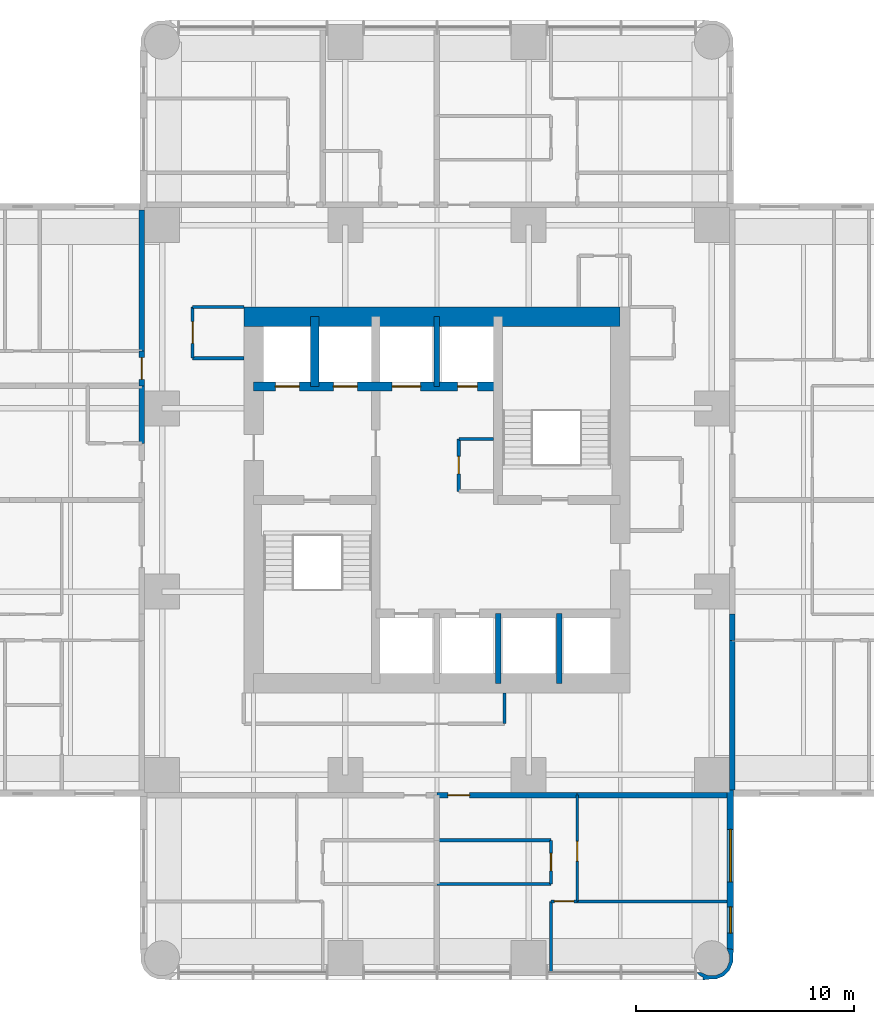
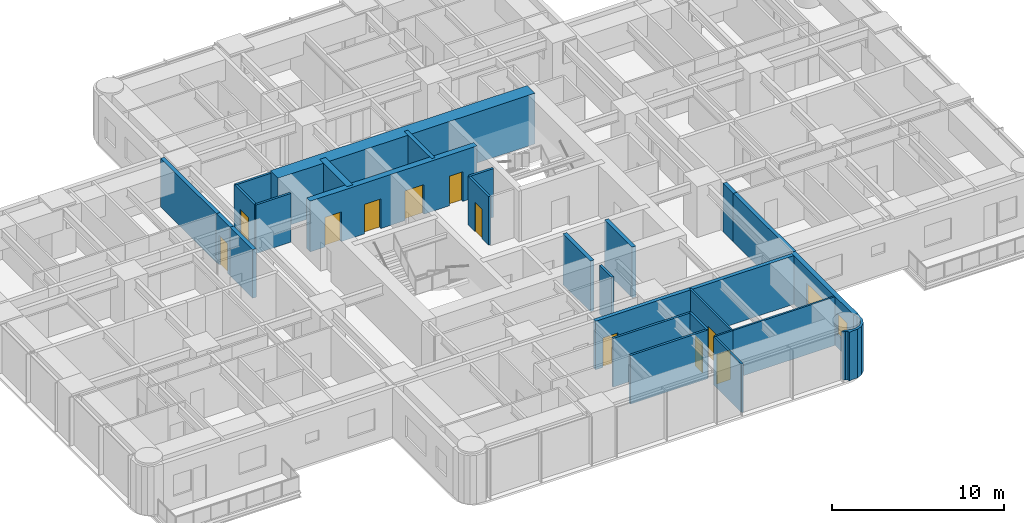
# One storey, part 8 of 14: 28 walls, 11 doors, 2 windows, 13 openings.
"""IFC4 building model written with IfcOpenShell, lengths in metres."""

from ifc_helpers import new_model, si_unit, direction, frame, frame_2d, origin, place, context, subcontext, project, spatial, polyline, rectangle, outline, extrude, material, layer, layer_set, type_object, element, fill, save


model = new_model("IFC4")

# Units and contexts
model_context = context("Model", 3, precision=1e-05, world=origin(), true_north=direction((0.0, 1.0)))
body_context = subcontext(model_context, "Body", "Model", "MODEL_VIEW")
ifc_project = project(units=[si_unit("LENGTHUNIT", "METRE"), si_unit("AREAUNIT", "SQUARE_METRE"), si_unit("VOLUMEUNIT", "CUBIC_METRE"), si_unit("PLANEANGLEUNIT", "RADIAN"), si_unit("MASSUNIT", "GRAM", prefix="KILO")], contexts=[model_context])

# Site, building, storey
site_placement = place(None, origin())
site = spatial("IfcSite", under=ifc_project, at=site_placement, CompositionType="ELEMENT")
building_placement = place(site_placement, origin())
building = spatial("IfcBuilding", under=site, at=building_placement, Name="Torre Alcanfor", CompositionType="ELEMENT")
storey_placement = place(building_placement, frame((0.0, 0.0, 126.89990234375)))
storey = spatial("IfcBuildingStorey", under=building, at=storey_placement, Name="L32", CompositionType="ELEMENT", Elevation=126.89990234375)

# Walls
ifc_material_1 = material(Name="Concrete block masonry, hollow blocks NMX-C-404 9 MPa", Category="masonry")
ifc_layer_1 = layer(ifc_material_1, 0.25)
ifc_layer_set_1 = layer_set([ifc_layer_1], Name="Apartment entrance wall 250 EI 60")
wall_type_1 = type_object("IfcWallType", Name="Apartment entrance wall 250 EI 60", PredefinedType="PARTITIONING", material=ifc_layer_set_1)
wall_1_placement = place(storey_placement, frame((42.925048828125, 24.1708984375, 0.0), z_axis=(0.0, 0.0, 1.0), x_axis=(0.0, -1.0, 0.0)))
element("IfcWall", 1, at=wall_1_placement, inside=storey, type_object=wall_type_1, Name="Partition L32-CORR / L32-E2-HALL", PredefinedType="PARTITIONING", context=body_context, shape_type="SweptSolid", body=[
    extrude(rectangle(XDim=1.199951171875, YDim=0.25, at=frame_2d((0.60009765625, 0.0))), origin(), (0.0, 0.0, 1.0), 3.4501953125),
])
wall_2_placement = place(storey_placement, frame((42.925048828125, 22.970947265625, 0.0), z_axis=(0.0, 0.0, 1.0), x_axis=(0.0, -1.0, 0.0)))
element("IfcWall", 2, at=wall_2_placement, inside=storey, type_object=wall_type_1, Name="Partition L32-CORR / L32-E2-BED3", PredefinedType="PARTITIONING", context=body_context, shape_type="SweptSolid", body=[
    extrude(rectangle(XDim=6.870849609375, YDim=0.25, at=frame_2d((3.435546875, 0.0))), origin(), (0.0, 0.0, 1.0), 3.4501953125),
])

# Wall, opening, door
wall_3_placement = place(storey_placement, frame((35.8291015625, 15.875, 0.0), z_axis=(0.0, 0.0, 1.0), x_axis=(-1.0, 0.0, 0.0)))
wall_3 = element("IfcWall", 3, at=wall_3_placement, inside=storey, type_object=wall_type_1, Name="Partition L32-CORR / L32-S1-LIVING", PredefinedType="PARTITIONING", context=body_context, shape_type="SweptSolid", body=[
    extrude(rectangle(XDim=6.42919921875, YDim=0.25, at=frame_2d((3.214599609375, 0.0))), origin(), (0.0, 0.0, 1.0), 3.4501953125),
])
opening_1_placement = place(wall_3_placement, frame((4.928955078125, 0.0, 0.0)))
opening_1 = element("IfcOpeningElement", 4, at=opening_1_placement, cuts=wall_3, Name="Opening D-A1", PredefinedType="OPENING", context=body_context, shape_type="SweptSolid", body=[
    extrude(rectangle(XDim=1.0, YDim=2.10009765625, at=frame_2d((0.5, 1.050048828125))), frame((0.0, 0.135009765625, 0.0), z_axis=(0.0, -1.0, 0.0), x_axis=(1.0, 0.0, 0.0)), (0.0, 0.0, 1.0), 0.27001953125),
])
ifc_material_2 = material(Name="Galvanised steel sheet ASTM A653", Category="steel")
door_type_1 = type_object("IfcDoorType", Name="Apartment entrance door FD60 1000x2100", OperationType="SINGLE_SWING_LEFT", PredefinedType="DOOR", material=ifc_material_2)
door_1_placement = place(opening_1_placement, origin())
door_1 = element("IfcDoor", 5, at=door_1_placement, inside=storey, type_object=door_type_1, Name="Apartment entrance L32-S1", OperationType="SINGLE_SWING_RIGHT", OverallHeight=2.10009765625, OverallWidth=1.0, PredefinedType="DOOR", context=body_context, shape_type="SweptSolid", body=[
    extrude(rectangle(XDim=1.0, YDim=2.10009765625, at=frame_2d((0.5, 1.050048828125))), frame((0.0, 0.02490234375, 0.0), z_axis=(0.0, -1.0, 0.0), x_axis=(1.0, 0.0, 0.0)), (0.0, 0.0, 1.0), 0.050048828125),
])
fill(opening_1, door_1)

# Walls
wall_4_placement = place(storey_placement, frame((42.699951171875, 15.875, 0.0), z_axis=(0.0, 0.0, 1.0), x_axis=(-1.0, 0.0, 0.0)))
element("IfcWall", 6, at=wall_4_placement, inside=storey, type_object=wall_type_1, Name="Partition L32-CORR / L32-S1-BED2", PredefinedType="PARTITIONING", context=body_context, shape_type="SweptSolid", body=[
    extrude(rectangle(XDim=6.870849609375, YDim=0.25, at=frame_2d((3.435546875, 0.0))), origin(), (0.0, 0.0, 1.0), 3.4501953125),
])
wall_5_placement = place(storey_placement, frame((15.875, 32.0, 0.0), z_axis=(0.0, 0.0, 1.0), x_axis=(0.0, 1.0, 0.0)))
element("IfcWall", 7, at=wall_5_placement, inside=storey, type_object=wall_type_1, Name="Partition L32-CORR / L32-W2A-BATH", PredefinedType="PARTITIONING", context=body_context, shape_type="SweptSolid", body=[
    extrude(rectangle(XDim=2.62890625, YDim=0.25, at=frame_2d((1.314453125, 0.0))), origin(), (0.0, 0.0, 1.0), 3.4501953125),
])

# Wall, opening, door
wall_6_placement = place(storey_placement, frame((15.875, 34.62890625, 0.0), z_axis=(0.0, 0.0, 1.0), x_axis=(0.0, 1.0, 0.0)))
wall_6 = element("IfcWall", 8, at=wall_6_placement, inside=storey, type_object=wall_type_1, Name="Partition L32-CORR / L32-W2B-HALL", PredefinedType="PARTITIONING", context=body_context, shape_type="SweptSolid", body=[
    extrude(rectangle(XDim=1.60009765625, YDim=0.25, at=frame_2d((0.800048828125, 0.0))), origin(), (0.0, 0.0, 1.0), 3.4501953125),
])
opening_2_placement = place(wall_6_placement, frame((0.300048828125, 0.0, 0.0)))
opening_2 = element("IfcOpeningElement", 9, at=opening_2_placement, cuts=wall_6, Name="Opening D-A1", PredefinedType="OPENING", context=body_context, shape_type="SweptSolid", body=[
    extrude(rectangle(XDim=1.0, YDim=2.10009765625, at=frame_2d((0.5, 1.050048828125))), frame((0.0, 0.135009765625, 0.0), z_axis=(0.0, -1.0, 0.0), x_axis=(1.0, 0.0, 0.0)), (0.0, 0.0, 1.0), 0.27001953125),
])
door_2_placement = place(opening_2_placement, origin())
door_2 = element("IfcDoor", 10, at=door_2_placement, inside=storey, type_object=door_type_1, Name="Apartment entrance L32-W2B", OperationType="SINGLE_SWING_LEFT", OverallHeight=2.10009765625, OverallWidth=1.0, PredefinedType="DOOR", context=body_context, shape_type="SweptSolid", body=[
    extrude(rectangle(XDim=1.0, YDim=2.10009765625, at=frame_2d((0.5, 1.050048828125))), frame((0.0, 0.02490234375, 0.0), z_axis=(0.0, -1.0, 0.0), x_axis=(1.0, 0.0, 0.0)), (0.0, 0.0, 1.0), 0.050048828125),
])
fill(opening_2, door_2)

# Wall
wall_7_placement = place(storey_placement, frame((15.875, 36.22900390625, 0.0), z_axis=(0.0, 0.0, 1.0), x_axis=(0.0, 1.0, 0.0)))
element("IfcWall", 11, at=wall_7_placement, inside=storey, type_object=wall_type_1, Name="Partition L32-CORR / L32-W2B-MASTER", PredefinedType="PARTITIONING", context=body_context, shape_type="SweptSolid", body=[
    extrude(rectangle(XDim=6.470947265625, YDim=0.25, at=frame_2d((3.2353515625, 0.0))), origin(), (0.0, 0.0, 1.0), 3.4501953125),
])

# Wall, opening, door
ifc_material_3 = material(Name="Gypsum board on steel studs", Category="steel")
ifc_layer_2 = layer(ifc_material_3, 0.1201171875)
ifc_layer_set_2 = layer_set([ifc_layer_2], Name="Apartment partition 120")
wall_type_2 = type_object("IfcWallType", Name="Apartment partition 120", PredefinedType="PARTITIONING", material=ifc_layer_set_2)
wall_8_placement = place(storey_placement, frame((35.8291015625, 15.875, 0.0), z_axis=(0.0, 0.0, 1.0), x_axis=(0.0, -1.0, 0.0)))
wall_8 = element("IfcWall", 12, at=wall_8_placement, inside=storey, type_object=wall_type_2, Name="Partition L32-S1-LIVING / L32-S1-BED2", PredefinedType="PARTITIONING", context=body_context, shape_type="SweptSolid", body=[
    extrude(rectangle(XDim=4.875, YDim=0.1201171875, at=frame_2d((2.4375, 0.0))), origin(), (0.0, 0.0, 1.0), 3.4501953125),
])
opening_3_placement = place(wall_8_placement, frame((2.125, 0.0, 0.0)))
opening_3 = element("IfcOpeningElement", 13, at=opening_3_placement, cuts=wall_8, Name="Opening D-R1", PredefinedType="OPENING", context=body_context, shape_type="SweptSolid", body=[
    extrude(rectangle(XDim=0.89990234375, YDim=2.10009765625, at=frame_2d((0.449951171875, 1.050048828125))), frame((0.0, 0.070068359375, 0.0), z_axis=(0.0, -1.0, 0.0), x_axis=(1.0, 0.0, 0.0)), (0.0, 0.0, 1.0), 0.14013671875),
])
ifc_material_4 = material(Name="Timber", Category="wood")
door_type_2 = type_object("IfcDoorType", Name="Internal door 900x2100", OperationType="SINGLE_SWING_LEFT", PredefinedType="DOOR", material=ifc_material_4)
door_3_placement = place(opening_3_placement, origin())
door_3 = element("IfcDoor", 14, at=door_3_placement, inside=storey, type_object=door_type_2, Name="Door L32-S1 bed2", OperationType="SINGLE_SWING_RIGHT", OverallHeight=2.10009765625, OverallWidth=0.89990234375, PredefinedType="DOOR", context=body_context, shape_type="SweptSolid", body=[
    extrude(rectangle(XDim=0.89990234375, YDim=2.10009765625, at=frame_2d((0.449951171875, 1.050048828125))), frame((0.0, 0.02490234375, 0.0), z_axis=(0.0, -1.0, 0.0), x_axis=(1.0, 0.0, 0.0)), (0.0, 0.0, 1.0), 0.050048828125),
])
fill(opening_3, door_3)

wall_9_placement = place(storey_placement, frame((35.8291015625, 11.0, 0.0), z_axis=(0.0, 0.0, 1.0), x_axis=(-1.0, 0.0, 0.0)))
wall_9 = element("IfcWall", 15, at=wall_9_placement, inside=storey, type_object=wall_type_2, Name="Partition L32-S1-LIVING / L32-S1-MASTER", PredefinedType="PARTITIONING", context=body_context, shape_type="SweptSolid", body=[
    extrude(rectangle(XDim=1.2001953125, YDim=0.1201171875, at=frame_2d((0.60009765625, 0.0))), origin(), (0.0, 0.0, 1.0), 3.4501953125),
])
opening_4_placement = place(wall_9_placement, frame((0.14892578125, 0.0, 0.0)))
opening_4 = element("IfcOpeningElement", 16, at=opening_4_placement, cuts=wall_9, Name="Opening D-R1", PredefinedType="OPENING", context=body_context, shape_type="SweptSolid", body=[
    extrude(rectangle(XDim=0.89990234375, YDim=2.10009765625, at=frame_2d((0.449951171875, 1.050048828125))), frame((0.0, 0.070068359375, 0.0), z_axis=(0.0, -1.0, 0.0), x_axis=(1.0, 0.0, 0.0)), (0.0, 0.0, 1.0), 0.14013671875),
])
door_4_placement = place(opening_4_placement, origin())
door_4 = element("IfcDoor", 17, at=door_4_placement, inside=storey, type_object=door_type_2, Name="Door L32-S1 master", OperationType="SINGLE_SWING_RIGHT", OverallHeight=2.10009765625, OverallWidth=0.89990234375, PredefinedType="DOOR", context=body_context, shape_type="SweptSolid", body=[
    extrude(rectangle(XDim=0.89990234375, YDim=2.10009765625, at=frame_2d((0.449951171875, 1.050048828125))), frame((0.0, 0.02490234375, 0.0), z_axis=(0.0, -1.0, 0.0), x_axis=(1.0, 0.0, 0.0)), (0.0, 0.0, 1.0), 0.050048828125),
])
fill(opening_4, door_4)

# Walls
wall_10_placement = place(storey_placement, frame((34.62890625, 11.0, 0.0), z_axis=(0.0, 0.0, 1.0), x_axis=(0.0, -1.0, 0.0)))
element("IfcWall", 18, at=wall_10_placement, inside=storey, type_object=wall_type_2, Name="Partition L32-S1-LIVING / L32-S1-MASTER", PredefinedType="PARTITIONING", context=body_context, shape_type="SweptSolid", body=[
    extrude(rectangle(XDim=3.25, YDim=0.1201171875, at=frame_2d((1.625, 0.0))), origin(), (0.0, 0.0, 1.0), 3.4501953125),
])
wall_11_placement = place(storey_placement, frame((35.8291015625, 11.0, 0.0), z_axis=(0.0, 0.0, 1.0), x_axis=(1.0, 0.0, 0.0)))
element("IfcWall", 19, at=wall_11_placement, inside=storey, type_object=wall_type_2, Name="Partition L32-S1-BED2 / L32-S1-MASTER", PredefinedType="PARTITIONING", context=body_context, shape_type="SweptSolid", body=[
    extrude(rectangle(XDim=6.870849609375, YDim=0.1201171875, at=frame_2d((3.435546875, 0.0))), origin(), (0.0, 0.0, 1.0), 3.4501953125),
])

# Wall, openings, doors
ifc_material_5 = material(Name="Concrete f'c 70 MPa", Category="concrete")
ifc_layer_3 = layer(ifc_material_5, 0.39990234375)
ifc_layer_set_3 = layer_set([ifc_layer_3], Name="Core inner wall 400 f'c70")
wall_type_3 = type_object("IfcWallType", Name="Core inner wall 400 f'c70", PredefinedType="SHEAR", material=ifc_layer_set_3)
wall_12_placement = place(storey_placement, frame((21.0, 34.60009765625, 0.0), z_axis=(0.0, 0.0, 1.0), x_axis=(1.0, 0.0, 0.0)))
wall_12 = element("IfcWall", 20, at=wall_12_placement, inside=storey, type_object=wall_type_3, Name="Core wall Y346 L32", PredefinedType="SHEAR", context=body_context, shape_type="SweptSolid", body=[
    extrude(rectangle(XDim=11.199951171875, YDim=0.39990234375, at=frame_2d((5.60009765625, 0.0))), origin(), (0.0, 0.0, 1.0), 3.60009765625),
])
opening_5_placement = place(wall_12_placement, frame((9.35009765625, 0.0, 0.0)))
opening_5 = element("IfcOpeningElement", 21, at=opening_5_placement, cuts=wall_12, Name="Opening D-Q1", PredefinedType="OPENING", context=body_context, shape_type="SweptSolid", body=[
    extrude(rectangle(XDim=0.89990234375, YDim=2.10009765625, at=frame_2d((0.449951171875, 1.050048828125))), frame((0.0, 0.2099609375, 0.0), z_axis=(0.0, -1.0, 0.0), x_axis=(1.0, 0.0, 0.0)), (0.0, 0.0, 1.0), 0.419921875),
])
opening_6_placement = place(wall_12_placement, frame((1.0, 0.0, 0.0)))
opening_6 = element("IfcOpeningElement", 22, at=opening_6_placement, cuts=wall_12, Name="Opening LD2", PredefinedType="OPENING", context=body_context, shape_type="SweptSolid", body=[
    extrude(rectangle(XDim=1.10009765625, YDim=2.10009765625, at=frame_2d((0.550048828125, 1.050048828125))), frame((0.0, 0.2099609375, 0.0), z_axis=(0.0, -1.0, 0.0), x_axis=(1.0, 0.0, 0.0)), (0.0, 0.0, 1.0), 0.419921875),
])
opening_7_placement = place(wall_12_placement, frame((3.64990234375, 0.0, 0.0)))
opening_7 = element("IfcOpeningElement", 23, at=opening_7_placement, cuts=wall_12, Name="Opening LD2", PredefinedType="OPENING", context=body_context, shape_type="SweptSolid", body=[
    extrude(rectangle(XDim=1.10009765625, YDim=2.10009765625, at=frame_2d((0.550048828125, 1.050048828125))), frame((0.0, 0.2099609375, 0.0), z_axis=(0.0, -1.0, 0.0), x_axis=(1.0, 0.0, 0.0)), (0.0, 0.0, 1.0), 0.419921875),
])
opening_8_placement = place(wall_12_placement, frame((6.35009765625, 0.0, 0.0)))
opening_8 = element("IfcOpeningElement", 24, at=opening_8_placement, cuts=wall_12, Name="Opening LD3", PredefinedType="OPENING", context=body_context, shape_type="SweptSolid", body=[
    extrude(rectangle(XDim=1.300048828125, YDim=2.10009765625, at=frame_2d((0.64990234375, 1.050048828125))), frame((0.0, 0.2099609375, 0.0), z_axis=(0.0, -1.0, 0.0), x_axis=(1.0, 0.0, 0.0)), (0.0, 0.0, 1.0), 0.419921875),
])
ifc_material_6 = material(Name="Galvanised steel sheet ASTM A653", Category="steel")
door_type_3 = type_object("IfcDoorType", Name="Firefighting lift landing door 1100x2100", OperationType="DOUBLE_DOOR_SLIDING", PredefinedType="DOOR", material=ifc_material_6)
door_5_placement = place(opening_6_placement, origin())
door_5 = element("IfcDoor", 25, at=door_5_placement, inside=storey, type_object=door_type_3, Name="Lift landing door FL1 L32", OperationType="DOUBLE_DOOR_SLIDING", OverallHeight=2.10009765625, OverallWidth=1.10009765625, PredefinedType="DOOR", context=body_context, shape_type="SweptSolid", body=[
    extrude(rectangle(XDim=1.10009765625, YDim=2.10009765625, at=frame_2d((0.550048828125, 1.050048828125))), frame((0.0, 0.02490234375, 0.0), z_axis=(0.0, -1.0, 0.0), x_axis=(1.0, 0.0, 0.0)), (0.0, 0.0, 1.0), 0.050048828125),
])
fill(opening_6, door_5)
door_6_placement = place(opening_7_placement, origin())
door_6 = element("IfcDoor", 26, at=door_6_placement, inside=storey, type_object=door_type_3, Name="Lift landing door FL2 L32", OperationType="DOUBLE_DOOR_SLIDING", OverallHeight=2.10009765625, OverallWidth=1.10009765625, PredefinedType="DOOR", context=body_context, shape_type="SweptSolid", body=[
    extrude(rectangle(XDim=1.10009765625, YDim=2.10009765625, at=frame_2d((0.550048828125, 1.050048828125))), frame((0.0, 0.02490234375, 0.0), z_axis=(0.0, -1.0, 0.0), x_axis=(1.0, 0.0, 0.0)), (0.0, 0.0, 1.0), 0.050048828125),
])
fill(opening_7, door_6)
ifc_material_7 = material(Name="Galvanised steel sheet ASTM A653", Category="steel")
door_type_4 = type_object("IfcDoorType", Name="Riser access door FD120 900x2100", OperationType="SINGLE_SWING_LEFT", PredefinedType="DOOR", material=ifc_material_7)
door_7_placement = place(opening_5_placement, origin())
door_7 = element("IfcDoor", 27, at=door_7_placement, inside=storey, type_object=door_type_4, Name="Riser door L32", OperationType="SINGLE_SWING_LEFT", OverallHeight=2.10009765625, OverallWidth=0.89990234375, PredefinedType="DOOR", context=body_context, shape_type="SweptSolid", body=[
    extrude(rectangle(XDim=0.89990234375, YDim=2.10009765625, at=frame_2d((0.449951171875, 1.050048828125))), frame((0.0, 0.02490234375, 0.0), z_axis=(0.0, -1.0, 0.0), x_axis=(1.0, 0.0, 0.0)), (0.0, 0.0, 1.0), 0.050048828125),
])
fill(opening_5, door_7)
ifc_material_8 = material(Name="Galvanised steel sheet ASTM A653", Category="steel")
door_type_5 = type_object("IfcDoorType", Name="Service lift landing door 1300x2100", OperationType="DOUBLE_DOOR_SLIDING", PredefinedType="DOOR", material=ifc_material_8)
door_8_placement = place(opening_8_placement, origin())
door_8 = element("IfcDoor", 28, at=door_8_placement, inside=storey, type_object=door_type_5, Name="Lift landing door SL1 L32", OperationType="DOUBLE_DOOR_SLIDING", OverallHeight=2.10009765625, OverallWidth=1.300048828125, PredefinedType="DOOR", context=body_context, shape_type="SweptSolid", body=[
    extrude(rectangle(XDim=1.300048828125, YDim=2.10009765625, at=frame_2d((0.64990234375, 1.050048828125))), frame((0.0, 0.02490234375, 0.0), z_axis=(0.0, -1.0, 0.0), x_axis=(1.0, 0.0, 0.0)), (0.0, 0.0, 1.0), 0.050048828125),
])
fill(opening_8, door_8)

# Walls
wall_13_placement = place(storey_placement, frame((23.800048828125, 34.60009765625, 0.0), z_axis=(0.0, 0.0, 1.0), x_axis=(0.0, 1.0, 0.0)))
element("IfcWall", 29, at=wall_13_placement, inside=storey, type_object=wall_type_3, Name="Core wall X238 L32", PredefinedType="SHEAR", context=body_context, shape_type="SweptSolid", body=[
    extrude(rectangle(XDim=3.199951171875, YDim=0.39990234375, at=frame_2d((1.60009765625, 0.0))), origin(), (0.0, 0.0, 1.0), 3.60009765625),
])
ifc_material_9 = material(Name="Concrete f'c 70 MPa", Category="concrete")
ifc_layer_4 = layer(ifc_material_9, 0.25)
ifc_layer_set_4 = layer_set([ifc_layer_4], Name="Core shaft wall 250 f'c70")
wall_type_4 = type_object("IfcWallType", Name="Core shaft wall 250 f'c70", PredefinedType="SHEAR", material=ifc_layer_set_4)
for number, where, z_axis, x_axis, name in (
    (30, (32.199951171875, 21.0, 0.0), (0.0, 0.0, 1.0), (0.0, 1.0, 0.0), "Core wall X322S L32"),
    (31, (35.0, 21.0, 0.0), (0.0, 0.0, 1.0), (0.0, 1.0, 0.0), "Core wall X350S L32"),
    (32, (29.39990234375, 34.60009765625, 0.0), (0.0, 0.0, 1.0), (0.0, 1.0, 0.0), "Core wall X294N L32"),
):
    element("IfcWall", number, at=place(storey_placement, frame(where, z_axis=z_axis, x_axis=x_axis)), inside=storey, type_object=wall_type_4, Name=name, PredefinedType="SHEAR", context=body_context, shape_type="SweptSolid", body=[
        extrude(rectangle(XDim=3.199951171875, YDim=0.25, at=frame_2d((1.60009765625, 0.0))), origin(), (0.0, 0.0, 1.0), 3.60009765625),
    ])
ifc_material_10 = material(Name="Concrete f'c 70 MPa", Category="concrete")
ifc_layer_5 = layer(ifc_material_10, 0.89990234375)
ifc_layer_set_5 = layer_set([ifc_layer_5], Name="Core wall 900 f'c70")
wall_type_5 = type_object("IfcWallType", Name="Core wall 900 f'c70", PredefinedType="SHEAR", material=ifc_layer_set_5)
wall_14_placement = place(storey_placement, frame((37.800048828125, 37.800048828125, 0.0), z_axis=(0.0, 0.0, 1.0), x_axis=(-1.0, 0.0, 0.0)))
element("IfcWall", 33, at=wall_14_placement, inside=storey, type_object=wall_type_5, Name="Core wall OUT-N L32", PredefinedType="SHEAR", context=body_context, shape_type="SweptSolid", body=[
    extrude(rectangle(XDim=17.25, YDim=0.89990234375, at=frame_2d((8.625, 0.0))), origin(), (0.0, 0.0, 1.0), 3.60009765625),
])

# Wall, openings, windows
ifc_material_11 = material(Name="Limestone cladding", Category="masonry")
ifc_layer_6 = layer(ifc_material_11, 0.0400390625, Name="Facing")
ifc_material_12 = material(Name="Ventilated air cavity")
ifc_layer_7 = layer(ifc_material_12, 0.02001953125, ventilated=True, Name="Ventilated joint")
ifc_material_13 = material(Name="Mineral wool insulation", Category="insulation")
ifc_layer_8 = layer(ifc_material_13, 0.10009765625, Name="Insulation")
ifc_material_14 = material(Name="Concrete f'c 35 MPa", Category="concrete")
ifc_layer_9 = layer(ifc_material_14, 0.139892578125, Name="Backing")
ifc_layer_set_6 = layer_set([ifc_layer_6, ifc_layer_7, ifc_layer_8, ifc_layer_9], Name="External wall stone-clad 300")
wall_type_6 = type_object("IfcWallType", Name="External wall stone-clad 300", PredefinedType="SOLIDWALL", material=ifc_layer_set_6)
wall_15_placement = place(storey_placement, frame((42.85009765625, 8.800048828125, 0.0), z_axis=(0.0, 0.0, 1.0), x_axis=(0.0, 1.0, 0.0)))
wall_15 = element("IfcWall", 34, at=wall_15_placement, inside=storey, type_object=wall_type_6, Name="External wall L32 6", PredefinedType="SOLIDWALL", context=body_context, shape_type="SweptSolid", body=[
    extrude(rectangle(XDim=7.300048828125, YDim=0.300048828125, at=frame_2d((3.64990234375, 0.0))), origin(), (0.0, 0.0, 1.0), 3.4501953125),
])
opening_9_placement = place(wall_15_placement, frame((3.10009765625, 0.0, 0.89990234375)))
opening_9 = element("IfcOpeningElement", 35, at=opening_9_placement, cuts=wall_15, Name="Opening W1", PredefinedType="OPENING", context=body_context, shape_type="SweptSolid", body=[
    extrude(rectangle(XDim=2.39990234375, YDim=1.5, at=frame_2d((1.199951171875, 0.75))), frame((0.0, 0.159912109375, 0.0), z_axis=(0.0, -1.0, 0.0), x_axis=(1.0, 0.0, 0.0)), (0.0, 0.0, 1.0), 0.320068359375),
])
opening_10_placement = place(wall_15_placement, frame((0.75, 0.0, 0.89990234375)))
opening_10 = element("IfcOpeningElement", 36, at=opening_10_placement, cuts=wall_15, Name="Opening W4", PredefinedType="OPENING", context=body_context, shape_type="SweptSolid", body=[
    extrude(rectangle(XDim=1.199951171875, YDim=1.5, at=frame_2d((0.60009765625, 0.75))), frame((0.0, 0.159912109375, 0.0), z_axis=(0.0, -1.0, 0.0), x_axis=(1.0, 0.0, 0.0)), (0.0, 0.0, 1.0), 0.320068359375),
])
ifc_material_15 = material(Name="Aluminium frame with clear double glazing", Category="aluminium")
window_type_1 = type_object("IfcWindowType", Name="Window bedroom 1200x1500", PartitioningType="SINGLE_PANEL", PredefinedType="WINDOW", material=ifc_material_15)
window_1_placement = place(opening_10_placement, origin())
window_1 = element("IfcWindow", 37, at=window_1_placement, inside=storey, type_object=window_type_1, Name="Window W4 L32-S1", OverallHeight=1.5, OverallWidth=1.199951171875, PartitioningType="SINGLE_PANEL", PredefinedType="WINDOW", context=body_context, shape_type="SweptSolid", body=[
    extrude(rectangle(XDim=1.199951171875, YDim=1.5, at=frame_2d((0.60009765625, 0.75))), frame((0.0, 0.030029296875, 0.0), z_axis=(0.0, -1.0, 0.0), x_axis=(1.0, 0.0, 0.0)), (0.0, 0.0, 1.0), 0.06005859375),
])
fill(opening_10, window_1)
ifc_material_16 = material(Name="Aluminium frame with clear double glazing", Category="aluminium")
window_type_2 = type_object("IfcWindowType", Name="Window bedroom 2400x1500", PartitioningType="SINGLE_PANEL", PredefinedType="WINDOW", material=ifc_material_16)
window_2_placement = place(opening_9_placement, origin())
window_2 = element("IfcWindow", 38, at=window_2_placement, inside=storey, type_object=window_type_2, Name="Window W1 L32-S1", OverallHeight=1.5, OverallWidth=2.39990234375, PartitioningType="SINGLE_PANEL", PredefinedType="WINDOW", context=body_context, shape_type="SweptSolid", body=[
    extrude(rectangle(XDim=2.39990234375, YDim=1.5, at=frame_2d((1.199951171875, 0.75))), frame((0.0, 0.030029296875, 0.0), z_axis=(0.0, -1.0, 0.0), x_axis=(1.0, 0.0, 0.0)), (0.0, 0.0, 1.0), 0.06005859375),
])
fill(opening_9, window_2)

# Walls
ifc_material_17 = material(Name="Concrete block masonry, hollow blocks NMX-C-404 9 MPa", Category="masonry")
ifc_layer_10 = layer(ifc_material_17, 0.14990234375)
ifc_layer_set_7 = layer_set([ifc_layer_10], Name="Residents' room partition 150")
wall_type_7 = type_object("IfcWallType", Name="Residents' room partition 150", PredefinedType="PARTITIONING", material=ifc_layer_set_7)
wall_16_placement = place(storey_placement, frame((32.5, 19.14990234375, 0.0), z_axis=(0.0, 0.0, 1.0), x_axis=(0.0, 1.0, 0.0)))
element("IfcWall", 39, at=wall_16_placement, inside=storey, type_object=wall_type_7, Name="Partition L32-CORR / L32-G04", PredefinedType="PARTITIONING", context=body_context, shape_type="SweptSolid", body=[
    extrude(rectangle(XDim=1.400146484375, YDim=0.14990234375, at=frame_2d((0.7001953125, 0.0))), origin(), (0.0, 0.0, 1.0), 3.4501953125),
])
wall_17_placement = place(storey_placement, frame((20.550048828125, 38.25, 0.0), z_axis=(0.0, 0.0, 1.0), x_axis=(-1.0, 0.0, 0.0)))
element("IfcWall", 40, at=wall_17_placement, inside=storey, type_object=wall_type_7, Name="Partition L32-CORR / L32-G05", PredefinedType="PARTITIONING", context=body_context, shape_type="SweptSolid", body=[
    extrude(rectangle(XDim=2.35009765625, YDim=0.14990234375, at=frame_2d((1.175048828125, 0.0))), origin(), (0.0, 0.0, 1.0), 3.4501953125),
])

# Wall, opening, door
wall_18_placement = place(storey_placement, frame((18.199951171875, 38.25, 0.0), z_axis=(0.0, 0.0, 1.0), x_axis=(0.0, -1.0, 0.0)))
wall_18 = element("IfcWall", 41, at=wall_18_placement, inside=storey, type_object=wall_type_7, Name="Partition L32-CORR / L32-G05", PredefinedType="PARTITIONING", context=body_context, shape_type="SweptSolid", body=[
    extrude(rectangle(XDim=2.35009765625, YDim=0.14990234375, at=frame_2d((1.175048828125, 0.0))), origin(), (0.0, 0.0, 1.0), 3.4501953125),
])
opening_11_placement = place(wall_18_placement, frame((0.675048828125, 0.0, 0.0)))
opening_11 = element("IfcOpeningElement", 42, at=opening_11_placement, cuts=wall_18, Name="Opening D-M1", PredefinedType="OPENING", context=body_context, shape_type="SweptSolid", body=[
    extrude(rectangle(XDim=1.0, YDim=2.10009765625, at=frame_2d((0.5, 1.050048828125))), frame((0.0, 0.0849609375, 0.0), z_axis=(0.0, -1.0, 0.0), x_axis=(1.0, 0.0, 0.0)), (0.0, 0.0, 1.0), 0.169921875),
])
ifc_material_18 = material(Name="Timber", Category="wood")
door_type_6 = type_object("IfcDoorType", Name="Residents' room door 1000x2100", OperationType="SINGLE_SWING_LEFT", PredefinedType="DOOR", material=ifc_material_18)
door_9_placement = place(opening_11_placement, origin())
door_9 = element("IfcDoor", 43, at=door_9_placement, inside=storey, type_object=door_type_6, Name="Door L32-G05 pram and buggy store", OperationType="SINGLE_SWING_LEFT", OverallHeight=2.10009765625, OverallWidth=1.0, PredefinedType="DOOR", context=body_context, shape_type="SweptSolid", body=[
    extrude(rectangle(XDim=1.0, YDim=2.10009765625, at=frame_2d((0.5, 1.050048828125))), frame((0.0, 0.02490234375, 0.0), z_axis=(0.0, -1.0, 0.0), x_axis=(1.0, 0.0, 0.0)), (0.0, 0.0, 1.0), 0.050048828125),
])
fill(opening_11, door_9)

# Wall
wall_19_placement = place(storey_placement, frame((18.199951171875, 35.89990234375, 0.0), z_axis=(0.0, 0.0, 1.0), x_axis=(1.0, 0.0, 0.0)))
element("IfcWall", 44, at=wall_19_placement, inside=storey, type_object=wall_type_7, Name="Partition L32-CORR / L32-G05", PredefinedType="PARTITIONING", context=body_context, shape_type="SweptSolid", body=[
    extrude(rectangle(XDim=2.35009765625, YDim=0.14990234375, at=frame_2d((1.175048828125, 0.0))), origin(), (0.0, 0.0, 1.0), 3.4501953125),
])

# Wall, opening, door
wall_20_placement = place(storey_placement, frame((30.39990234375, 29.800048828125, 0.0), z_axis=(0.0, 0.0, 1.0), x_axis=(0.0, 1.0, 0.0)))
wall_20 = element("IfcWall", 45, at=wall_20_placement, inside=storey, type_object=wall_type_7, Name="Partition L32-LL / L32-CR1", PredefinedType="PARTITIONING", context=body_context, shape_type="SweptSolid", body=[
    extrude(rectangle(XDim=2.39990234375, YDim=0.14990234375, at=frame_2d((1.199951171875, 0.0))), origin(), (0.0, 0.0, 1.0), 3.4501953125),
])
opening_12_placement = place(wall_20_placement, frame((0.800048828125, 0.0, 0.0)))
opening_12 = element("IfcOpeningElement", 46, at=opening_12_placement, cuts=wall_20, Name="Opening D-R2", PredefinedType="OPENING", context=body_context, shape_type="SweptSolid", body=[
    extrude(rectangle(XDim=0.800048828125, YDim=2.10009765625, at=frame_2d((0.39990234375, 1.050048828125))), frame((0.0, 0.0849609375, 0.0), z_axis=(0.0, -1.0, 0.0), x_axis=(1.0, 0.0, 0.0)), (0.0, 0.0, 1.0), 0.169921875),
])
ifc_material_19 = material(Name="Timber", Category="wood")
door_type_7 = type_object("IfcDoorType", Name="Bathroom door 800x2100", OperationType="SINGLE_SWING_LEFT", PredefinedType="DOOR", material=ifc_material_19)
door_10_placement = place(opening_12_placement, frame((0.800048828125, 0.0, 0.0), z_axis=(0.0, 0.0, 1.0), x_axis=(-1.0, 0.0, 0.0)))
door_10 = element("IfcDoor", 47, at=door_10_placement, inside=storey, type_object=door_type_7, Name="Cleaners' store door L32", OperationType="SINGLE_SWING_RIGHT", OverallHeight=2.10009765625, OverallWidth=0.800048828125, PredefinedType="DOOR", context=body_context, shape_type="SweptSolid", body=[
    extrude(rectangle(XDim=0.800048828125, YDim=2.10009765625, at=frame_2d((0.400146484375, 1.050048828125))), frame((0.0, 0.025146484375, 0.0), z_axis=(0.0, -1.0, 0.0), x_axis=(1.0, 0.0, 0.0)), (0.0, 0.0, 1.0), 0.050048828125),
])
fill(opening_12, door_10)

# Walls
wall_21_placement = place(storey_placement, frame((30.39990234375, 32.199951171875, 0.0), z_axis=(0.0, 0.0, 1.0), x_axis=(1.0, 0.0, 0.0)))
element("IfcWall", 48, at=wall_21_placement, inside=storey, type_object=wall_type_7, Name="Partition L32-LL / L32-CR1", PredefinedType="PARTITIONING", context=body_context, shape_type="SweptSolid", body=[
    extrude(rectangle(XDim=1.60009765625, YDim=0.14990234375, at=frame_2d((0.800048828125, 0.0))), origin(), (0.0, 0.0, 1.0), 3.4501953125),
])
ifc_layer_11 = layer(ifc_material_11, 0.0400390625, Name="Facing")
ifc_layer_12 = layer(ifc_material_12, 0.02001953125, ventilated=True, Name="Ventilated joint")
ifc_layer_13 = layer(ifc_material_13, 0.10009765625, Name="Insulation")
ifc_layer_14 = layer(ifc_material_14, 0.139892578125, Name="Backing")
ifc_layer_set_8 = layer_set([ifc_layer_11, ifc_layer_12, ifc_layer_13, ifc_layer_14], Name="Rounded corner pier stone-clad 300")
wall_type_8 = type_object("IfcWallType", Name="Rounded corner pier stone-clad 300", PredefinedType="SOLIDWALL", material=ifc_layer_set_8)
wall_22_placement = place(storey_placement, frame((41.351928198, 7.804682488, 0.0), z_axis=(0.0, 0.0, 1.0), x_axis=(0.343276641956, -0.93923434088, 0.0)))
element("IfcWall", 49, at=wall_22_placement, inside=storey, type_object=wall_type_8, Name="Corner pier L32 16", PredefinedType="SOLIDWALL", context=body_context, shape_type="SweptSolid", body=[
    extrude(outline(polyline([(-0.3691376945080963, 1.8896116474277462), (-0.5092849006082865, 1.6213723434863179), (-0.4904818693699753, 1.614500106025285), (-0.47937395557818696, 1.6086207727425919), (-0.21134604487110653, 1.620093396259431), (0.08789731812884549, 1.5107242513003132), (0.3226193813038204, 1.29522875171589), (0.4568297522668325, 1.0059961170728082), (0.47018090116819644, 0.6876338955306306), (0.3608955639829935, 0.3886198377896824), (0.14540006439857034, 0.15389777461470747), (0.10805580570731482, 0.136354268630141), (0.030952653705484567, -0.07460656965335008), (0.24105149879401783, 0.023022242841209073), (0.33345144333490195, 0.12363819812835387), (0.46537419024986754, 0.09413770889727405), (0.5320249985235461, 0.39313792602006), (0.6305829406476248, 0.6628009106085226), (0.6143313238115743, 1.0443478664441104), (0.4534111053034037, 1.390650880852334), (0.17226586261802523, 1.6491069643028293), (-0.09739712197043726, 1.7476649064269079), (-0.3691376945080963, 1.8896116474277462)])), origin(), (0.0, 0.0, 1.0), 3.4501953125),
])
ifc_material_20 = material(Name="Cement board on steel studs", Category="steel")
ifc_layer_15 = layer(ifc_material_20, 0.14990234375)
ifc_layer_set_9 = layer_set([ifc_layer_15], Name="Wet area partition 150")
wall_type_9 = type_object("IfcWallType", Name="Wet area partition 150", PredefinedType="PARTITIONING", material=ifc_layer_set_9)
wall_23_placement = place(storey_placement, frame((29.39990234375, 11.800048828125, 0.0), z_axis=(0.0, 0.0, 1.0), x_axis=(1.0, 0.0, 0.0)))
element("IfcWall", 50, at=wall_23_placement, inside=storey, type_object=wall_type_9, Name="Partition L32-S1-BATH / L32-S1-LIVING", PredefinedType="PARTITIONING", context=body_context, shape_type="SweptSolid", body=[
    extrude(rectangle(XDim=5.22900390625, YDim=0.14990234375, at=frame_2d((2.614501953125, 0.0))), origin(), (0.0, 0.0, 1.0), 3.4501953125),
])

# Wall, opening, door
wall_24_placement = place(storey_placement, frame((34.62890625, 11.800048828125, 0.0), z_axis=(0.0, 0.0, 1.0), x_axis=(0.0, 1.0, 0.0)))
wall_24 = element("IfcWall", 51, at=wall_24_placement, inside=storey, type_object=wall_type_9, Name="Partition L32-S1-BATH / L32-S1-LIVING", PredefinedType="PARTITIONING", context=body_context, shape_type="SweptSolid", body=[
    extrude(rectangle(XDim=2.0, YDim=0.14990234375, at=frame_2d((1.0, 0.0))), origin(), (0.0, 0.0, 1.0), 3.4501953125),
])
opening_13_placement = place(wall_24_placement, frame((0.60009765625, 0.0, 0.0)))
opening_13 = element("IfcOpeningElement", 52, at=opening_13_placement, cuts=wall_24, Name="Opening D-R2", PredefinedType="OPENING", context=body_context, shape_type="SweptSolid", body=[
    extrude(rectangle(XDim=0.800048828125, YDim=2.10009765625, at=frame_2d((0.39990234375, 1.050048828125))), frame((0.0, 0.0849609375, 0.0), z_axis=(0.0, -1.0, 0.0), x_axis=(1.0, 0.0, 0.0)), (0.0, 0.0, 1.0), 0.169921875),
])
door_11_placement = place(opening_13_placement, origin())
door_11 = element("IfcDoor", 53, at=door_11_placement, inside=storey, type_object=door_type_7, Name="Door L32-S1 bath", OperationType="SINGLE_SWING_LEFT", OverallHeight=2.10009765625, OverallWidth=0.800048828125, PredefinedType="DOOR", context=body_context, shape_type="SweptSolid", body=[
    extrude(rectangle(XDim=0.800048828125, YDim=2.10009765625, at=frame_2d((0.39990234375, 1.050048828125))), frame((0.0, 0.02490234375, 0.0), z_axis=(0.0, -1.0, 0.0), x_axis=(1.0, 0.0, 0.0)), (0.0, 0.0, 1.0), 0.050048828125),
])
fill(opening_13, door_11)

# Wall
wall_25_placement = place(storey_placement, frame((34.62890625, 13.800048828125, 0.0), z_axis=(0.0, 0.0, 1.0), x_axis=(-1.0, 0.0, 0.0)))
element("IfcWall", 54, at=wall_25_placement, inside=storey, type_object=wall_type_9, Name="Partition L32-S1-BATH / L32-S1-LIVING", PredefinedType="PARTITIONING", context=body_context, shape_type="SweptSolid", body=[
    extrude(rectangle(XDim=5.22900390625, YDim=0.14990234375, at=frame_2d((2.614501953125, 0.0))), origin(), (0.0, 0.0, 1.0), 3.4501953125),
])

save(model, "model.ifc")
